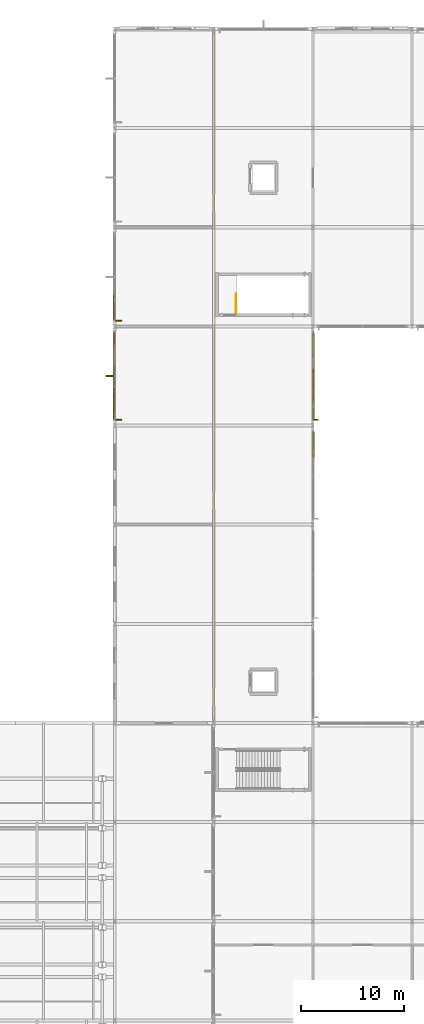
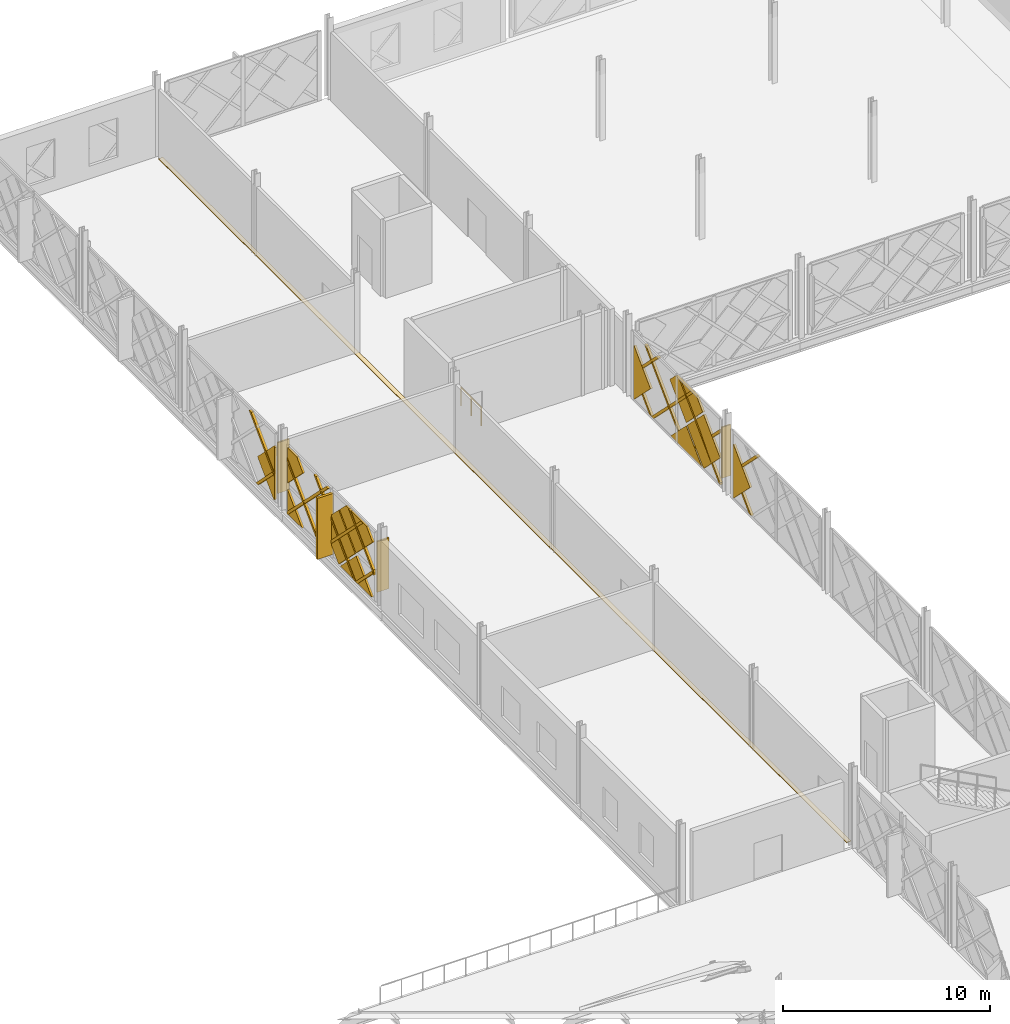
# One storey, part 64 of 77: 29 coverings, 3 shading devices, 1 railing.
"""IFC4 building model written with IfcOpenShell, lengths in metres."""

from ifc_helpers import new_model, si_unit, direction, frame, origin, origin_2d, place, context, subcontext, project, spatial, polyline, rectangle, circle, outline, extrude, material, layer, layer_set, type_object, element, save


model = new_model("IFC4")

# Units and contexts
model_context = context("Model", 3, precision=1e-05, world=origin(), true_north=direction((0.0, 1.0)))
body_context = subcontext(model_context, "Body", "Model", "MODEL_VIEW")
ifc_project = project(units=[si_unit("LENGTHUNIT", "METRE"), si_unit("AREAUNIT", "SQUARE_METRE"), si_unit("VOLUMEUNIT", "CUBIC_METRE"), si_unit("PLANEANGLEUNIT", "RADIAN"), si_unit("MASSUNIT", "GRAM", prefix="KILO")], contexts=[model_context])

# Site, building, storey
site_placement = place(None, origin())
site = spatial("IfcSite", under=ifc_project, at=site_placement, CompositionType="ELEMENT")
building_placement = place(site_placement, origin())
building = spatial("IfcBuilding", under=site, at=building_placement, Name="Zevrakil Square Congress Hotel", CompositionType="ELEMENT")
storey_placement = place(building_placement, frame((0.0, 0.0, 9.89990234375)))
storey = spatial("IfcBuildingStorey", under=building, at=storey_placement, Name="L03", CompositionType="ELEMENT", Elevation=9.89990234375)

# Coverings
ifc_material_1 = material(Name="Architectural White Fibre-C GRC", Category="concrete")
ifc_layer_1 = layer(ifc_material_1, 0.06494140625)
ifc_layer_set_1 = layer_set([ifc_layer_1], Name="Architectural White Fibre-C GRC")
covering_type_1 = type_object("IfcCoveringType", Name="COV-DIA-WHITE", PredefinedType="CLADDING", material=ifc_layer_set_1)
covering_1_placement = place(storey_placement, frame((45.5048828125, 81.969970703125, 0.080078125), z_axis=(-0.999999760125, 0.0, 0.000692640526), x_axis=(0.0, 1.0, 0.0)))
element("IfcCovering", 1, at=covering_1_placement, inside=storey, type_object=covering_type_1, Name="L03 45-degree white GRC diamond facade cassette 498", PredefinedType="CLADDING", context=body_context, shape_type="SweptSolid", body=[
    extrude(outline(polyline([(0.0, 0.0), (1.409912109375, 0.0), (1.409912109375, -1.4099124475784228), (0.0, 0.0)])), origin(), (0.0, 0.0, -1.0), 0.1201171875),
])
covering_2_placement = place(storey_placement, frame((45.506103515625, 76.760009765625, 1.590087890625), z_axis=(-0.999999673239, 0.0, 0.000808407173), x_axis=(-0.000571630288, -0.707106665659, -0.707106665659)))
element("IfcCovering", 2, at=covering_2_placement, inside=storey, type_object=covering_type_1, Name="L03 45-degree white GRC diamond facade cassette 499", PredefinedType="CLADDING", context=body_context, shape_type="SweptSolid", body=[
    extrude(outline(polyline([(0.0, 0.0), (2.1354766387581616, -2.220446049250313e-16), (6.977908784122633e-07, -2.135476638758047), (0.0, 0.0)])), origin(), (0.0, 0.0, -1.0), 0.1201171875),
])
covering_3_placement = place(storey_placement, frame((45.507080078125, 78.43994140625, 3.27001953125), z_axis=(-0.999999811377, 0.0, 0.000614203339), x_axis=(-0.000434307387, -0.707106714488, -0.707106714509)))
element("IfcCovering", 3, at=covering_3_placement, inside=storey, type_object=covering_type_1, Name="L03 45-degree white GRC diamond facade cassette 500", PredefinedType="CLADDING", context=body_context, shape_type="SweptSolid", body=[
    extrude(outline(polyline([(0.0, 0.0), (2.2483788053845455, -2.220446049250313e-16), (2.2485518630206376, -2.24855143882716), (-0.00017220931434658304, -2.2485514388922905), (0.0, 0.0)])), origin(), (0.0, 0.0, -1.0), 0.1201171875),
])
covering_4_placement = place(storey_placement, frame((45.507080078125, 81.889892578125, 3.360107421875), z_axis=(-0.999999839695, -5.7301371e-05, 0.000563318075), x_axis=(-0.00043884425, 0.707106706873, -0.707106719323)))
element("IfcCovering", 4, at=covering_4_placement, inside=storey, type_object=covering_type_1, Name="L03 45-degree white GRC diamond facade cassette 501", PredefinedType="CLADDING", context=body_context, shape_type="SweptSolid", body=[
    extrude(outline(polyline([(0.0, 0.0), (2.1071646229120553, -2.220446049250313e-16), (0.6399521713139183, -1.4672121438186752), (0.0001725190507584351, -0.8274323591799149), (0.0, 0.0)])), origin(), (0.0, 0.0, -1.0), 0.1201171875),
])
covering_5_placement = place(storey_placement, frame((45.507080078125, 75.169921875, 3.360107421875), z_axis=(-0.999999854023, 0.0, 0.000540328059), x_axis=(-0.00038206967, 0.707106715472, -0.70710674368)))
element("IfcCovering", 5, at=covering_5_placement, inside=storey, type_object=covering_type_1, Name="L03 45-degree white GRC diamond facade cassette 502", PredefinedType="CLADDING", context=body_context, shape_type="SweptSolid", body=[
    extrude(outline(polyline([(0.0, 0.0), (2.248724069270764, 0.0), (2.2487236513034583, -2.2487240692707253), (1.4212912936588356, -2.248551391780543), (-1.0977900971598231e-07, -0.8272597241691597), (0.0, 0.0)])), origin(), (0.0, 0.0, -1.0), 0.1201171875),
])
covering_6_placement = place(storey_placement, frame((45.505126953125, 84.679931640625, 0.090087890625), z_axis=(-0.999999802683, 0.000140327885, 0.000612324892), x_axis=(0.000532205901, 0.707106704157, 0.707106657933)))
element("IfcCovering", 6, at=covering_6_placement, inside=storey, type_object=covering_type_1, Name="L03 45-degree white GRC diamond facade cassette 512", PredefinedType="CLADDING", context=body_context, shape_type="SweptSolid", body=[
    extrude(outline(polyline([(0.0, 0.0), (2.248724061551621, 2.220446049250313e-16), (2.2485518743230286, -2.2485514275168326), (2.163961345534469, -2.248551358294879), (0.00017263069657306312, -0.08476303958088106), (0.0, 0.0)])), origin(), (0.0, 0.0, -1.0), 0.1201171875),
])
covering_7_placement = place(storey_placement, frame((64.89501953125, 73.719970703125, 0.090087890625), z_axis=(0.999999810877, -4.3898e-08, 0.000615017515), x_axis=(-0.000434914137, -0.707106714509, 0.707106714115)))
element("IfcCovering", 7, at=covering_7_placement, inside=storey, type_object=covering_type_1, Name="L03 45-degree white GRC diamond facade cassette 1863", PredefinedType="CLADDING", context=body_context, shape_type="SweptSolid", body=[
    extrude(outline(polyline([(0.0, 0.0), (2.2487240723345248, 0.0), (2.2485518629543146, -2.248551438891992), (2.16378882664394, -2.2487240883742428), (-2.3641429092169375e-11, -0.08493566978779551), (0.0, 0.0)])), origin(), (0.0, 0.0, -1.0), 0.1201171875),
])
covering_8_placement = place(storey_placement, frame((64.89404296875, 78.280029296875, 1.590087890625), z_axis=(0.999999790873, 0.0, 0.000646725815), x_axis=(0.000457304257, 0.707106707249, -0.707106707249)))
element("IfcCovering", 8, at=covering_8_placement, inside=storey, type_object=covering_type_1, Name="L03 45-degree white GRC diamond facade cassette 1929", PredefinedType="CLADDING", context=body_context, shape_type="SweptSolid", body=[
    extrude(outline(polyline([(0.0, 0.0), (2.1354765131557993, 0.0), (4.465861884739297e-07, -2.1354765131557527), (0.0, 0.0)])), origin(), (0.0, 0.0, -1.0), 0.1201171875),
])
covering_9_placement = place(storey_placement, frame((64.89306640625, 76.60009765625, 3.27001953125), z_axis=(0.999999812555, 0.0, 0.000612281941), x_axis=(0.000432948753, 0.707106714489, -0.707106715341)))
element("IfcCovering", 9, at=covering_9_placement, inside=storey, type_object=covering_type_1, Name="L03 45-degree white GRC diamond facade cassette 1930", PredefinedType="CLADDING", context=body_context, shape_type="SweptSolid", body=[
    extrude(outline(polyline([(0.0, 0.0), (2.2483788053823686, 2.220446049250313e-16), (2.2485518630143098, -2.2485514388251864), (0.013983735657622232, -2.2485514362281265), (-0.00017220932723183147, -2.23439549391379), (0.0, 0.0)])), origin(), (0.0, 0.0, -1.0), 0.1201171875),
])
covering_10_placement = place(storey_placement, frame((64.89501953125, 83.320068359375, 0.090087890625), z_axis=(0.999999810879, -4.3911e-08, 0.000615014432), x_axis=(-0.000434911966, -0.707106714509, 0.707106714116)))
element("IfcCovering", 10, at=covering_10_placement, inside=storey, type_object=covering_type_1, Name="L03 45-degree white GRC diamond facade cassette 1931", PredefinedType="CLADDING", context=body_context, shape_type="SweptSolid", body=[
    extrude(outline(polyline([(0.0, 0.0), (2.2487240723345274, -2.220446049250313e-16), (2.248551862954323, -2.2485514388919943), (2.1639614601190895, -2.2485514548663854), (0.00017263345166069338, -0.0847630362800969), (0.0, 0.0)])), origin(), (0.0, 0.0, -1.0), 0.1201171875),
])
covering_11_placement = place(storey_placement, frame((64.89306640625, 79.8701171875, 3.360107421875), z_axis=(0.99999981942, 0.0, 0.000600965157), x_axis=(0.000424946558, -0.707106747162, -0.707106687522)))
element("IfcCovering", 11, at=covering_11_placement, inside=storey, type_object=covering_type_1, Name="L03 45-degree white GRC diamond facade cassette 1932", PredefinedType="CLADDING", context=body_context, shape_type="SweptSolid", body=[
    extrude(outline(polyline([(0.0, 0.0), (2.2487239684904425, -2.220446049250313e-16), (2.2487237520837646, -2.2487239684904328), (1.4214639280124546, -2.248724061484949), (0.00017246087706124236, -0.8274324575711047), (0.0, 0.0)])), origin(), (0.0, 0.0, -1.0), 0.1201171875),
])
ifc_material_2 = material(Name="Anodised Champagne Aluminium", Category="aluminium")
ifc_layer_2 = layer(ifc_material_2, 0.0849609375)
ifc_layer_set_2 = layer_set([ifc_layer_2], Name="Anodised Champagne Aluminium")
covering_type_2 = type_object("IfcCoveringType", Name="COV-DIAGRID-45", PredefinedType="MOLDING", material=ifc_layer_set_2)
covering_12_placement = place(storey_placement, frame((45.47998046875, 83.2939453125, 0.080078125), z_axis=(-0.999999881591, -0.000189745714, 0.000448122857), x_axis=(-0.000189745695, 0.999999981998, 8.5029e-08)))
element("IfcCovering", 12, at=covering_12_placement, inside=storey, type_object=covering_type_2, Name="L03 45-degree aluminium diagrid rib 503", PredefinedType="MOLDING", context=body_context, shape_type="SweptSolid", body=[
    extrude(outline(polyline([(0.0, 0.0), (0.08593749845297734, 0.0), (0.08593750918544711, -0.12622069045155077), (-3.6528321001012993, -3.864990940352672), (-3.8649902994070873, -3.864990940352672), (0.0, 0.0)])), origin(), (0.0, 0.0, -1.0), 0.14501953125),
])
covering_13_placement = place(storey_placement, frame((45.47998046875, 79.933837890625, 0.080078125), z_axis=(-0.999999800495, 0.0, 0.00063167191), x_axis=(0.0, 1.0, 0.0)))
element("IfcCovering", 13, at=covering_13_placement, inside=storey, type_object=covering_type_2, Name="L03 45-degree aluminium diagrid rib 504", PredefinedType="MOLDING", context=body_context, shape_type="SweptSolid", body=[
    extrude(outline(polyline([(0.0, 0.0), (0.212158203125, 0.0), (-3.65283203125, -3.8649910054589514), (-3.864990234375, -3.8649910054589514), (0.0, 0.0)])), origin(), (0.0, 0.0, -1.0), 0.14501953125),
])
covering_14_placement = place(storey_placement, frame((45.47998046875, 76.573974609375, 0.080078125), z_axis=(-0.999999559446, 0.000244467201, 0.000906280278), x_axis=(0.000244467101, 0.999999970118, -2.21556e-07)))
element("IfcCovering", 14, at=covering_14_placement, inside=storey, type_object=covering_type_2, Name="L03 45-degree aluminium diagrid rib 505", PredefinedType="MOLDING", context=body_context, shape_type="SweptSolid", body=[
    extrude(outline(polyline([(0.0, 0.0), (0.21215819678526596, 0.0), (-1.5539551245604528, -1.766113662255786), (-1.5539551372399212, -1.5539553249983964), (0.0, 0.0)])), origin(), (0.0, 0.0, -1.0), 0.14501953125),
])
covering_15_placement = place(storey_placement, frame((45.48193359375, 83.3798828125, 3.154052734375), z_axis=(-0.999999905689, 0.000307101698, 0.000307101698), x_axis=(0.000307101684, -9.4311e-08, 0.999999952844)))
element("IfcCovering", 15, at=covering_15_placement, inside=storey, type_object=covering_type_2, Name="L03 45-degree aluminium diagrid rib 506", PredefinedType="MOLDING", context=body_context, shape_type="SweptSolid", body=[
    extrude(outline(polyline([(0.0, 0.0), (0.21215819312052556, 2.8078904387053947e-24), (-3.073974754330517, -3.285889116734547), (-3.073974774339466, -3.0737309236140224), (0.0, 0.0)])), origin(), (0.0, 0.0, -1.0), 0.14501953125),
])
covering_16_placement = place(storey_placement, frame((45.482421875, 80.81103515625, 3.945068359375), z_axis=(-0.999999800495, 0.0, 0.00063167191), x_axis=(0.0, -1.0, 0.0)))
element("IfcCovering", 16, at=covering_16_placement, inside=storey, type_object=covering_type_2, Name="L03 45-degree aluminium diagrid rib 507", PredefinedType="MOLDING", context=body_context, shape_type="SweptSolid", body=[
    extrude(outline(polyline([(0.0, 0.0), (0.212158203125, 0.0), (4.0771484375, -3.8649910054589514), (3.864990234375, -3.8649910054589514), (0.0, 0.0)])), origin(), (0.0, 0.0, -1.0), 0.14501953125),
])
covering_17_placement = place(storey_placement, frame((45.482421875, 77.451171875, 3.945068359375), z_axis=(-0.999999900763, 0.000315199621, 0.000314837322), x_axis=(-0.000315199605, -0.999999950325, 9.9237e-08)))
element("IfcCovering", 17, at=covering_17_placement, inside=storey, type_object=covering_type_2, Name="L03 45-degree aluminium diagrid rib 508", PredefinedType="MOLDING", context=body_context, shape_type="SweptSolid", body=[
    extrude(outline(polyline([(0.0, 0.0), (0.21215819258595606, 0.0), (2.431152464518475, -2.2187503512234255), (2.4311524434403866, -2.431152684446494), (0.0, 0.0)])), origin(), (0.0, 0.0, -1.0), 0.14501953125),
])
covering_18_placement = place(storey_placement, frame((45.47998046875, 86.173828125, 0.080078125), z_axis=(-0.999999559458, 0.000244485179, 0.0009062623), x_axis=(0.000244485079, 0.999999970113, -2.21568e-07)))
element("IfcCovering", 18, at=covering_18_placement, inside=storey, type_object=covering_type_2, Name="L03 45-degree aluminium diagrid rib 516", PredefinedType="MOLDING", context=body_context, shape_type="SweptSolid", body=[
    extrude(outline(polyline([(0.0, 0.0), (0.21215819678433348, -5.6157808774107894e-24), (-1.5537109839349863, -1.7661136622626155), (-1.5537109966163196, -1.5539553250061586), (0.0, 0.0)])), origin(), (0.0, 0.0, -1.0), 0.14501953125),
])
covering_19_placement = place(storey_placement, frame((45.482421875, 87.051025390625, 3.945068359375), z_axis=(-0.999999900753, 0.00031521618, 0.000314853862), x_axis=(-0.000315216164, -0.999999950319, 9.9247e-08)))
element("IfcCovering", 19, at=covering_19_placement, inside=storey, type_object=covering_type_2, Name="L03 45-degree aluminium diagrid rib 519", PredefinedType="MOLDING", context=body_context, shape_type="SweptSolid", body=[
    extrude(outline(polyline([(0.0, 0.0), (0.21215819258484866, -2.8078904387053947e-24), (2.4309083238940357, -2.2187503512361), (2.430908302813733, -2.431152684458063), (0.0, 0.0)])), origin(), (0.0, 0.0, -1.0), 0.14501953125),
])
covering_20_placement = place(storey_placement, frame((64.919921875, 72.22607421875, 0.080078125), z_axis=(0.999999913482, 0.000294139249, 0.000294139249), x_axis=(0.000294139237, -0.999999956741, 8.6518e-08)))
element("IfcCovering", 20, at=covering_20_placement, inside=storey, type_object=covering_type_2, Name="L03 45-degree aluminium diagrid rib 1867", PredefinedType="MOLDING", context=body_context, shape_type="SweptSolid", body=[
    extrude(outline(polyline([(0.0, 0.0), (0.2121581939472589, 0.0), (-1.553955145347468, -1.7661134920951609), (-1.5539551637029505, -1.5539552981479028), (0.0, 0.0)])), origin(), (0.0, 0.0, -1.0), 0.14501953125),
])
covering_21_placement = place(storey_placement, frame((64.91748046875, 71.348876953125, 3.945068359375), z_axis=(0.999999553076, 0.00023356163, 0.000916131605), x_axis=(-0.000233561532, 0.999999972724, -2.13973e-07)))
element("IfcCovering", 21, at=covering_21_placement, inside=storey, type_object=covering_type_2, Name="L03 45-degree aluminium diagrid rib 1870", PredefinedType="MOLDING", context=body_context, shape_type="SweptSolid", body=[
    extrude(outline(polyline([(0.0, 0.0), (0.21215819733827515, 0.0), (2.4311524100609416, -2.2187504108942058), (2.431152398487491, -2.4311528891747933), (0.0, 0.0)])), origin(), (0.0, 0.0, -1.0), 0.14501953125),
])
covering_22_placement = place(storey_placement, frame((64.919921875, 75.106201171875, 0.080078125), z_axis=(0.999999881537, 0.000189525479, 0.0004483359), x_axis=(0.00018952546, -0.99999998204, 8.4971e-08)))
element("IfcCovering", 22, at=covering_22_placement, inside=storey, type_object=covering_type_2, Name="L03 45-degree aluminium diagrid rib 1933", PredefinedType="MOLDING", context=body_context, shape_type="SweptSolid", body=[
    extrude(outline(polyline([(0.0, 0.0), (0.08618163907718172, -1.1406045165281983e-24), (0.08618164980229089, -0.12622069043949768), (-3.6525879593209467, -3.864990940503721), (-3.8649902992562106, -3.864990940503721), (0.0, 0.0)])), origin(), (0.0, 0.0, -1.0), 0.14501953125),
])
covering_23_placement = place(storey_placement, frame((64.919921875, 78.466064453125, 0.080078125), z_axis=(0.999999800495, 0.0, 0.00063167191), x_axis=(0.0, -1.0, 0.0)))
element("IfcCovering", 23, at=covering_23_placement, inside=storey, type_object=covering_type_2, Name="L03 45-degree aluminium diagrid rib 1934", PredefinedType="MOLDING", context=body_context, shape_type="SweptSolid", body=[
    extrude(outline(polyline([(0.0, 0.0), (0.212158203125, 0.0), (-3.65283203125, -3.8649910054589514), (-3.864990234375, -3.8649910054589514), (0.0, 0.0)])), origin(), (0.0, 0.0, -1.0), 0.14501953125),
])
covering_24_placement = place(storey_placement, frame((64.919921875, 81.826171875, 0.080078125), z_axis=(0.999999913469, 0.000294160881, 0.000294160881), x_axis=(0.000294160868, -0.999999956735, 8.6531e-08)))
element("IfcCovering", 24, at=covering_24_placement, inside=storey, type_object=covering_type_2, Name="L03 45-degree aluminium diagrid rib 1935", PredefinedType="MOLDING", context=body_context, shape_type="SweptSolid", body=[
    extrude(outline(polyline([(0.0, 0.0), (0.21215819394590898, 2.8078904387053947e-24), (-1.5537110047217924, -1.7661134921050472), (-1.5537110230799749, -1.5539552981591391), (0.0, 0.0)])), origin(), (0.0, 0.0, -1.0), 0.14501953125),
])
covering_25_placement = place(storey_placement, frame((64.918212890625, 75.02001953125, 3.154052734375), z_axis=(0.99999958606, 0.000287477056, 0.000863270454), x_axis=(-0.000863270513, 8.2643e-08, 0.999999627382)))
element("IfcCovering", 25, at=covering_25_placement, inside=storey, type_object=covering_type_2, Name="L03 45-degree aluminium diagrid rib 1936", PredefinedType="MOLDING", context=body_context, shape_type="SweptSolid", body=[
    extrude(outline(polyline([(0.0, 0.0), (0.21215833483042407, 1.3234889800848443e-23), (-3.0739746676964605, -3.286133202330571), (-3.073974685229852, -3.0739750079722734), (0.0, 0.0)])), origin(), (0.0, 0.0, -1.0), 0.14501953125),
])
covering_26_placement = place(storey_placement, frame((64.91748046875, 77.5888671875, 3.945068359375), z_axis=(0.999999800495, 0.0, 0.00063167191), x_axis=(0.0, 1.0, 0.0)))
element("IfcCovering", 26, at=covering_26_placement, inside=storey, type_object=covering_type_2, Name="L03 45-degree aluminium diagrid rib 1937", PredefinedType="MOLDING", context=body_context, shape_type="SweptSolid", body=[
    extrude(outline(polyline([(0.0, 0.0), (0.212158203125, 0.0), (4.0771484375, -3.8649910054589514), (3.864990234375, -3.8649910054589514), (0.0, 0.0)])), origin(), (0.0, 0.0, -1.0), 0.14501953125),
])
covering_27_placement = place(storey_placement, frame((64.91748046875, 80.948974609375, 3.945068359375), z_axis=(0.999999553084, 0.0002335739, 0.000916119349), x_axis=(-0.000233573802, 0.999999972722, -2.13982e-07)))
element("IfcCovering", 27, at=covering_27_placement, inside=storey, type_object=covering_type_2, Name="L03 45-degree aluminium diagrid rib 1938", PredefinedType="MOLDING", context=body_context, shape_type="SweptSolid", body=[
    extrude(outline(polyline([(0.0, 0.0), (0.21215819733766708, 0.0), (2.4309082694362485, -2.2187504109011655), (2.4309082578615824, -2.431152889181146), (0.0, 0.0)])), origin(), (0.0, 0.0, -1.0), 0.14501953125),
])
ifc_material_3 = material(Name="Architectural White Fibre-C GRC", Category="concrete")
ifc_layer_3 = layer(ifc_material_3, 0.139892578125)
ifc_layer_set_3 = layer_set([ifc_layer_3], Name="Architectural White Fibre-C GRC")
covering_type_3 = type_object("IfcCoveringType", Name="COV-FIN-GRC90", PredefinedType="MOLDING", material=ifc_layer_set_3)
covering_28_placement = place(storey_placement, frame((45.179931640625, 79.199951171875, 0.212646484375), z_axis=(0.0, 0.0, 1.0), x_axis=(-1.0, 0.0, 0.0)))
element("IfcCovering", 28, at=covering_28_placement, inside=storey, type_object=covering_type_3, Name="L03 highland sun-breaker GRC fin 509", PredefinedType="MOLDING", context=body_context, shape_type="SweptSolid", body=[
    extrude(rectangle(XDim=0.89990234375, YDim=0.139892578125, at=origin_2d()), origin(), (0.0, 0.0, 1.0), 3.60009765625),
])
ifc_material_4 = material(Name="Honed Addis Basalt Stone Flooring", Category="masonry")
ifc_layer_4 = layer(ifc_material_4, 0.030029296875)
ifc_layer_set_4 = layer_set([ifc_layer_4], Name="Honed Addis Basalt Stone Flooring")
covering_type_4 = type_object("IfcCoveringType", Name="COV-FLOR-BASALT-030", PredefinedType="FLOORING", material=ifc_layer_set_4)
covering_29_placement = place(storey_placement, origin())
element("IfcCovering", 29, at=covering_29_placement, inside=storey, type_object=covering_type_4, Name="L03 flush movement-joint floor cover plate 09", PredefinedType="FLOORING", context=body_context, shape_type="SweptSolid", body=[
    extrude(outline(polyline([(55.080078125, 46.0), (55.320068359375, 46.0), (55.320068359375, 112.39990234375), (55.080078125, 112.39990234375), (55.080078125, 46.0)])), origin(), (0.0, 0.0, 1.0), 0.030029296875),
])

# Railing
ifc_material_5 = material(Name="Steel S355", Category="steel")
railing_type = type_object("IfcRailingType", Name="RLG-STAIR-GUARD-1100", PredefinedType="BALUSTRADE", material=ifc_material_5)
railing_placement = place(storey_placement, frame((57.35009765625, 85.199951171875, 0.0)))
element("IfcRailing", 30, at=railing_placement, inside=storey, type_object=railing_type, Name="L03 ST05 top well guard 1", PredefinedType="BALUSTRADE", context=body_context, shape_type="SweptSolid", body=[
    extrude(circle(Radius=0.02392578125, at=origin_2d()), frame((0.0, 0.0, 1.076171875), z_axis=(0.0, 1.0, 0.0), x_axis=(-1.0, 0.0, 0.0)), (0.0, 0.0, 1.0), 1.949951171875),
    extrude(circle(Radius=0.02099609375, at=origin_2d()), origin(), (0.0, 0.0, 1.0), 1.052001953125),
    extrude(circle(Radius=0.02099609375, at=origin_2d()), frame((0.0, 0.97509765625, 0.0)), (0.0, 0.0, 1.0), 1.052001953125),
    extrude(circle(Radius=0.02099609375, at=origin_2d()), frame((0.0, 1.949951171875, 0.0)), (0.0, 0.0, 1.0), 1.052001953125),
])

# Shading devices
ifc_material_6 = material(Name="Aluminium Anodised Bronze", Category="aluminium")
shading_device_type_1 = type_object("IfcShadingDeviceType", Name="SHD-FIN-50", PredefinedType="JALOUSIE", material=ifc_material_6)
shading_device_placement = place(storey_placement, frame((65.070068359375, 74.9599609375, 0.5126953125), z_axis=(0.0, 0.0, 1.0), x_axis=(1.0, 0.0, 0.0)))
element("IfcShadingDevice", 31, at=shading_device_placement, inside=storey, type_object=shading_device_type_1, Name="L03 aluminium solar shading fin 108", PredefinedType="JALOUSIE", context=body_context, shape_type="SweptSolid", body=[
    extrude(rectangle(XDim=0.5, YDim=0.080078125, at=origin_2d()), origin(), (0.0, 0.0, 1.0), 3.0),
])
ifc_material_7 = material(Name="Aluminium Anodised Bronze", Category="aluminium")
shading_device_type_2 = type_object("IfcShadingDeviceType", Name="SHD-FIN-65", PredefinedType="USERDEFINED", material=ifc_material_7)
for number, where, z_axis, x_axis, name in (
    (32, (45.945068359375, 74.9599609375, 0.5126953125), (0.0, 0.0, 1.0), (1.0, 0.0, 0.0), "L03 aluminium solar shading fin 29"),
    (33, (45.945068359375, 84.56005859375, 0.5126953125), (0.0, 0.0, 1.0), (1.0, 0.0, 0.0), "L03 aluminium solar shading fin 30"),
):
    element("IfcShadingDevice", number, at=place(storey_placement, frame(where, z_axis=z_axis, x_axis=x_axis)), inside=storey, type_object=shading_device_type_2, Name=name, ObjectType="SOLAR FIN", PredefinedType="USERDEFINED", context=body_context, shape_type="SweptSolid", body=[
        extrude(rectangle(XDim=0.64990234375, YDim=0.080078125, at=origin_2d()), origin(), (0.0, 0.0, 1.0), 3.0),
    ])

save(model, "model.ifc")
